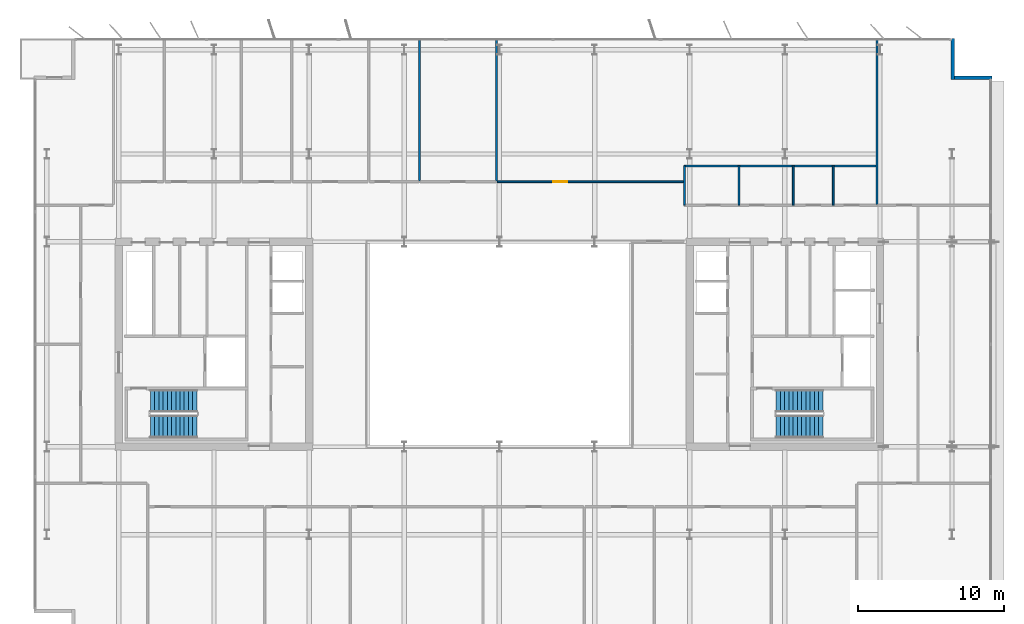
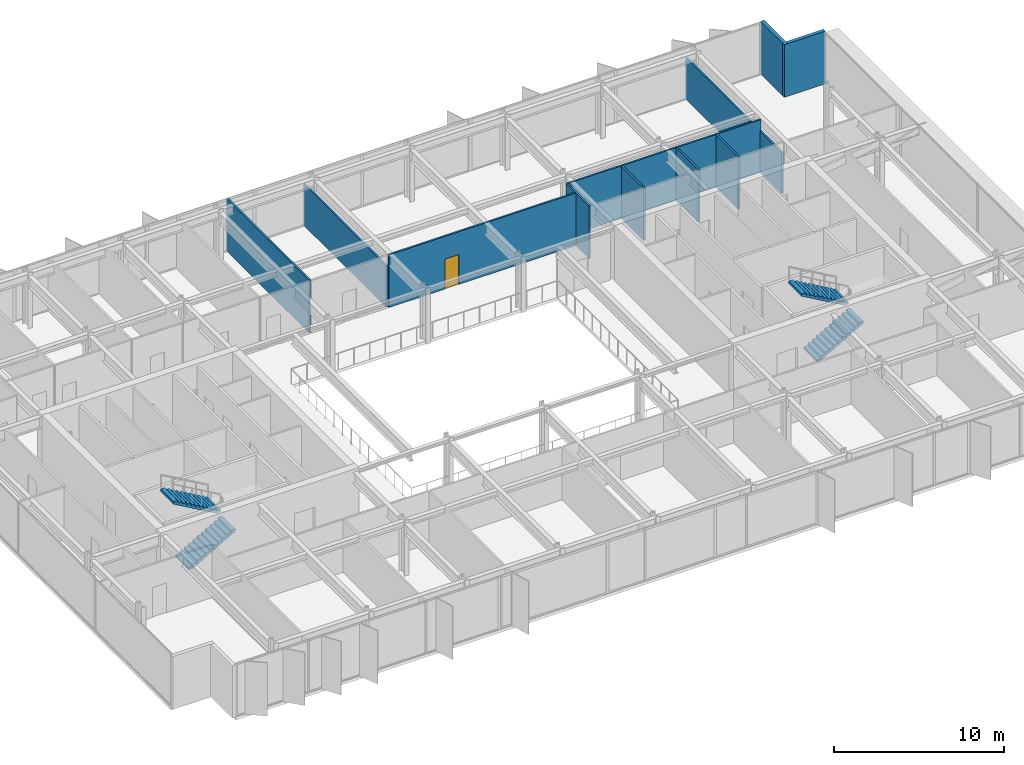
# One storey, part 16 of 20: 11 walls, 4 stair flights, 1 door, 1 opening, 2 elements without a shape of their own.
"""IFC4 building model written with IfcOpenShell, lengths in metres."""

from ifc_helpers import new_model, si_unit, direction, frame, frame_2d, origin, place, context, subcontext, project, spatial, polyline, rectangle, outline, extrude, material, layer, layer_set, type_object, element, fill, aggregate, save


model = new_model("IFC4")

# Units and contexts
model_context = context("Model", 3, precision=1e-05, world=origin(), true_north=direction((0.0, 1.0)))
body_context = subcontext(model_context, "Body", "Model", "MODEL_VIEW")
ifc_project = project(units=[si_unit("LENGTHUNIT", "METRE"), si_unit("AREAUNIT", "SQUARE_METRE"), si_unit("VOLUMEUNIT", "CUBIC_METRE"), si_unit("PLANEANGLEUNIT", "RADIAN"), si_unit("MASSUNIT", "GRAM", prefix="KILO")], contexts=[model_context])

# Site, building, storey
site_placement = place(None, origin())
site = spatial("IfcSite", under=ifc_project, at=site_placement, CompositionType="ELEMENT")
building_placement = place(site_placement, origin())
building = spatial("IfcBuilding", under=site, at=building_placement, Name="Putna Gate Headquarters", CompositionType="ELEMENT")
storey_placement = place(building_placement, frame((0.0, 0.0, 282.39990234375)))
storey = spatial("IfcBuildingStorey", under=building, at=storey_placement, Name="L71", CompositionType="ELEMENT", Elevation=282.39990234375)

# Walls
ifc_material_1 = material(Name="Precast concrete C40/50", Category="concrete")
ifc_layer_1 = layer(ifc_material_1, 0.239990234375)
ifc_layer_set_1 = layer_set([ifc_layer_1], Name="Precast concrete C40/50")
wall_type_1 = type_object("IfcWallType", Name="WALL-EXT-TERR-240", PredefinedType="STANDARD", material=ifc_layer_set_1)
wall_1_placement = place(storey_placement, frame((69.968994140625, 46.89990234375, 0.0), z_axis=(0.0, 0.0, 1.0), x_axis=(0.0, -1.0, 0.0)))
element("IfcWall", 1, at=wall_1_placement, inside=storey, type_object=wall_type_1, Name="L71 Corner Notch Return Wall NE-V", PredefinedType="STANDARD", context=body_context, shape_type="SweptSolid", body=[
    extrude(rectangle(XDim=2.7998046875, YDim=0.239990234375, at=frame_2d((1.39990234375, 0.0))), origin(), (0.0, 0.0, 1.0), 3.7880859375),
])
wall_2_placement = place(storey_placement, frame((69.848876953125, 44.219970703125, 0.0), z_axis=(0.0, 0.0, 1.0), x_axis=(1.0, 0.0, 0.0)))
element("IfcWall", 2, at=wall_2_placement, inside=storey, type_object=wall_type_1, Name="L71 Corner Notch Return Wall NE-H", PredefinedType="STANDARD", context=body_context, shape_type="SweptSolid", body=[
    extrude(rectangle(XDim=2.800048828125, YDim=0.239990234375, at=frame_2d((1.39990234375, 0.0))), origin(), (0.0, 0.0, 1.0), 3.7880859375),
])
ifc_material_2 = material(Name="Acoustic gypsum board on metal stud")
ifc_layer_2 = layer(ifc_material_2, 0.1201171875)
ifc_layer_set_2 = layer_set([ifc_layer_2], Name="Acoustic gypsum board on metal stud")
wall_type_2 = type_object("IfcWallType", Name="WALL-PART-120", PredefinedType="PARTITIONING", material=ifc_layer_set_2)
wall_3_placement = place(storey_placement, frame((33.5419921875, 37.159912109375, 0.0), z_axis=(0.0, 0.0, 1.0), x_axis=(0.0, 1.0, 0.0)))
element("IfcWall", 3, at=wall_3_placement, inside=storey, type_object=wall_type_2, Name="L71 Interior Wall PART-L71-NB-DIV-06", PredefinedType="PARTITIONING", context=body_context, shape_type="SweptSolid", body=[
    extrude(rectangle(XDim=9.719970703125, YDim=0.1201171875, at=frame_2d((4.85986328125, 0.0))), origin(), (0.0, 0.0, 1.0), 3.7880859375),
])
wall_4_placement = place(storey_placement, frame((38.800048828125, 37.159912109375, 0.0), z_axis=(0.0, 0.0, 1.0), x_axis=(0.0, 1.0, 0.0)))
element("IfcWall", 4, at=wall_4_placement, inside=storey, type_object=wall_type_2, Name="L71 Interior Wall PART-L71-NB-DIV-07", PredefinedType="PARTITIONING", context=body_context, shape_type="SweptSolid", body=[
    extrude(rectangle(XDim=9.719970703125, YDim=0.1201171875, at=frame_2d((4.85986328125, 0.0))), origin(), (0.0, 0.0, 1.0), 2.988037109375),
])
wall_5_placement = place(storey_placement, frame((64.800048828125, 35.56005859375, 0.0), z_axis=(0.0, 0.0, 1.0), x_axis=(0.0, 1.0, 0.0)))
element("IfcWall", 5, at=wall_5_placement, inside=storey, type_object=wall_type_2, Name="L71 Interior Wall PART-L71-NB-DIV-08", PredefinedType="PARTITIONING", context=body_context, shape_type="SweptSolid", body=[
    extrude(rectangle(XDim=11.31982421875, YDim=0.1201171875, at=frame_2d((5.659912109375, 0.0))), origin(), (0.0, 0.0, 1.0), 2.988037109375),
])
ifc_material_3 = material(Name="Fire-rated gypsum board on metal stud")
ifc_layer_3 = layer(ifc_material_3, 0.1201171875)
ifc_layer_set_3 = layer_set([ifc_layer_3], Name="Fire-rated gypsum board on metal stud")
wall_type_3 = type_object("IfcWallType", Name="WALL-PART-120-RATED", PredefinedType="PARTITIONING", material=ifc_layer_set_3)
wall_6_placement = place(storey_placement, frame((51.639892578125, 38.179931640625, 0.0), z_axis=(0.0, 0.0, 1.0), x_axis=(1.0, 0.0, 0.0)))
element("IfcWall", 6, at=wall_6_placement, inside=storey, type_object=wall_type_3, Name="L71 Interior Wall PART-L71-SAN-BACK", PredefinedType="PARTITIONING", context=body_context, shape_type="SweptSolid", body=[
    extrude(rectangle(XDim=13.16015625, YDim=0.1201171875, at=frame_2d((6.580078125, 0.0))), origin(), (0.0, 0.0, 1.0), 3.7880859375),
])
for number, where, z_axis, x_axis, name in (
    (7, (51.639892578125, 35.5, 0.0), (0.0, 0.0, 1.0), (0.0, 1.0, 0.0), "L71 Interior Wall PART-L71-SAN-DIV-1"),
    (8, (55.360107421875, 35.5, 0.0), (0.0, 0.0, 1.0), (0.0, 1.0, 0.0), "L71 Interior Wall PART-L71-SAN-DIV-2"),
    (9, (59.080078125, 35.5, 0.0), (0.0, 0.0, 1.0), (0.0, 1.0, 0.0), "L71 Interior Wall PART-L71-SAN-DIV-3"),
    (10, (61.800048828125, 35.5, 0.0), (0.0, 0.0, 1.0), (0.0, 1.0, 0.0), "L71 Interior Wall PART-L71-SAN-DIV-4"),
):
    element("IfcWall", number, at=place(storey_placement, frame(where, z_axis=z_axis, x_axis=x_axis)), inside=storey, type_object=wall_type_3, Name=name, PredefinedType="PARTITIONING", context=body_context, shape_type="SweptSolid", body=[
        extrude(rectangle(XDim=2.679931640625, YDim=0.1201171875, at=frame_2d((1.33984375, 0.0))), origin(), (0.0, 0.0, 1.0), 3.7880859375),
    ])

# Wall, opening, door
wall_7_placement = place(storey_placement, frame((38.860107421875, 37.10009765625, 0.0), z_axis=(0.0, 0.0, 1.0), x_axis=(1.0, 0.0, 0.0)))
wall_7 = element("IfcWall", 11, at=wall_7_placement, inside=storey, type_object=wall_type_3, Name="L71 Interior Wall PART-L71-NB-CW-08", PredefinedType="PARTITIONING", context=body_context, shape_type="SweptSolid", body=[
    extrude(rectangle(XDim=12.719970703125, YDim=0.1201171875, at=frame_2d((6.35986328125, 0.0))), origin(), (0.0, 0.0, 1.0), 3.7880859375),
])
opening_placement = place(wall_7_placement, frame((3.81591796875, 0.0, 0.0)))
opening = element("IfcOpeningElement", 12, at=opening_placement, cuts=wall_7, Name="Opening FD-95", PredefinedType="OPENING", context=body_context, shape_type="SweptSolid", body=[
    extrude(rectangle(XDim=0.949951171875, YDim=2.14990234375, at=frame_2d((0.47509765625, 1.074951171875))), frame((0.0, 0.070068359375, 0.0), z_axis=(0.0, -1.0, 0.0), x_axis=(1.0, 0.0, 0.0)), (0.0, 0.0, 1.0), 0.14013671875),
])
ifc_material_4 = material(Name="Acoustic timber fire door", Category="wood")
door_type = type_object("IfcDoorType", Name="DOOR-FIRE-950", OperationType="NOTDEFINED", PredefinedType="DOOR", material=ifc_material_4)
door_placement = place(opening_placement, origin())
door = element("IfcDoor", 13, at=door_placement, inside=storey, type_object=door_type, Name="L71 Primary Open Office Workplace Door", OperationType="SINGLE_SWING_LEFT", OverallHeight=2.14990234375, OverallWidth=0.949951171875, PredefinedType="DOOR", context=body_context, shape_type="SweptSolid", body=[
    extrude(rectangle(XDim=0.949951171875, YDim=2.14990234375, at=frame_2d((0.47509765625, 1.074951171875))), frame((0.0, 0.02490234375, 0.0), z_axis=(0.0, -1.0, 0.0), x_axis=(1.0, 0.0, 0.0)), (0.0, 0.0, 1.0), 0.050048828125),
])
fill(opening, door)

# Stair, stair flights
ifc_material_5 = material(Name="Concrete C40/50", Category="concrete")
stair_type_1 = type_object("IfcStairType", Name="STAIR-ST1", PredefinedType="HALF_TURN_STAIR", material=ifc_material_5)
stair_1_placement = place(storey_placement, origin())
stair_1 = element("IfcStair", 14, at=stair_1_placement, inside=storey, type_object=stair_type_1, Name="L71 West Core Exit Stair ST1", PredefinedType="HALF_TURN_STAIR")
stair_flight_type_1 = type_object("IfcStairFlightType", Name="FLIGHT-ST1", PredefinedType="STRAIGHT", material=ifc_material_5)
stair_flight_1_placement = place(storey_placement, frame((15.14990234375, 20.375, 0.0), z_axis=(0.0, 0.0, 1.0), x_axis=(1.0, 0.0, 0.0)))
stair_flight_1 = element("IfcStairFlight", 15, at=stair_flight_1_placement, type_object=stair_flight_type_1, Name="ST1 flight 1", NumberOfRisers=12, NumberOfTreads=11, PredefinedType="STRAIGHT", RiserHeight=0.166666667, TreadLength=0.29, context=body_context, shape_type="SweptSolid", body=[
    extrude(outline(polyline([(0.0, 0.0), (0.0, 0.166748046875), (0.2900390625, 0.166748046875), (0.2900390625, 0.333251953125), (0.580078125, 0.333251953125), (0.580078125, 0.5), (0.8701171875, 0.5), (0.8701171875, 0.666748046875), (1.159912109375, 0.666748046875), (1.159912109375, 0.833251953125), (1.449951171875, 0.833251953125), (1.449951171875, 1.0), (1.739990234375, 1.0), (1.739990234375, 1.166748046875), (2.030029296875, 1.166748046875), (2.030029296875, 1.333251953125), (2.320068359375, 1.333251953125), (2.320068359375, 1.5), (2.610107421875, 1.5), (2.610107421875, 1.666748046875), (2.89990234375, 1.666748046875), (2.89990234375, 1.833251953125), (3.18994140625, 1.833251953125), (3.18994140625, 2.0), (3.18994140625, 1.660400390625), (0.30078125, 0.0), (0.0, 0.0)])), frame((0.0, 0.77490234375, 0.0), z_axis=(0.0, -1.0, 0.0), x_axis=(1.0, 0.0, 0.0)), (0.0, 0.0, 1.0), 1.550048828125),
])
stair_flight_2_placement = place(storey_placement, frame((18.340087890625, 22.125, 2.0), z_axis=(0.0, 0.0, 1.0), x_axis=(-1.0, 0.0, 0.0)))
stair_flight_2 = element("IfcStairFlight", 16, at=stair_flight_2_placement, type_object=stair_flight_type_1, Name="ST1 flight 2", NumberOfRisers=12, NumberOfTreads=11, PredefinedType="STRAIGHT", RiserHeight=0.166666667, TreadLength=0.29, context=body_context, shape_type="SweptSolid", body=[
    extrude(outline(polyline([(0.0, 0.0), (0.0, 0.166748046875), (0.2900390625, 0.166748046875), (0.2900390625, 0.333251953125), (0.580078125, 0.333251953125), (0.580078125, 0.5), (0.8701171875, 0.5), (0.8701171875, 0.666748046875), (1.159912109375, 0.666748046875), (1.159912109375, 0.833251953125), (1.449951171875, 0.833251953125), (1.449951171875, 1.0), (1.739990234375, 1.0), (1.739990234375, 1.166748046875), (2.030029296875, 1.166748046875), (2.030029296875, 1.333251953125), (2.320068359375, 1.333251953125), (2.320068359375, 1.5), (2.610107421875, 1.5), (2.610107421875, 1.666748046875), (2.89990234375, 1.666748046875), (2.89990234375, 1.833251953125), (3.18994140625, 1.833251953125), (3.18994140625, 2.0), (3.18994140625, 1.660400390625), (0.30078125, 0.0), (0.0, 0.0)])), frame((0.0, 0.77490234375, 0.0), z_axis=(0.0, -1.0, 0.0), x_axis=(1.0, 0.0, 0.0)), (0.0, 0.0, 1.0), 1.550048828125),
])
aggregate(stair_1, [stair_flight_1, stair_flight_2])

stair_type_2 = type_object("IfcStairType", Name="STAIR-ST2", PredefinedType="HALF_TURN_STAIR", material=ifc_material_5)
stair_2_placement = place(storey_placement, origin())
stair_2 = element("IfcStair", 17, at=stair_2_placement, inside=storey, type_object=stair_type_2, Name="L71 East Core Exit Stair ST2", PredefinedType="HALF_TURN_STAIR")
stair_flight_type_2 = type_object("IfcStairFlightType", Name="FLIGHT-ST2", PredefinedType="STRAIGHT", material=ifc_material_5)
stair_flight_3_placement = place(storey_placement, frame((57.89990234375, 20.375, 0.0), z_axis=(0.0, 0.0, 1.0), x_axis=(1.0, 0.0, 0.0)))
stair_flight_3 = element("IfcStairFlight", 18, at=stair_flight_3_placement, type_object=stair_flight_type_2, Name="ST2 flight 1", NumberOfRisers=12, NumberOfTreads=11, PredefinedType="STRAIGHT", RiserHeight=0.166666667, TreadLength=0.29, context=body_context, shape_type="SweptSolid", body=[
    extrude(outline(polyline([(0.0, 0.0), (0.0, 0.166748046875), (0.2900390625, 0.166748046875), (0.2900390625, 0.333251953125), (0.580078125, 0.333251953125), (0.580078125, 0.5), (0.8701171875, 0.5), (0.8701171875, 0.666748046875), (1.159912109375, 0.666748046875), (1.159912109375, 0.833251953125), (1.449951171875, 0.833251953125), (1.449951171875, 1.0), (1.739990234375, 1.0), (1.739990234375, 1.166748046875), (2.030029296875, 1.166748046875), (2.030029296875, 1.333251953125), (2.320068359375, 1.333251953125), (2.320068359375, 1.5), (2.610107421875, 1.5), (2.610107421875, 1.666748046875), (2.89990234375, 1.666748046875), (2.89990234375, 1.833251953125), (3.18994140625, 1.833251953125), (3.18994140625, 2.0), (3.18994140625, 1.660400390625), (0.30078125, 0.0), (0.0, 0.0)])), frame((0.0, 0.77490234375, 0.0), z_axis=(0.0, -1.0, 0.0), x_axis=(1.0, 0.0, 0.0)), (0.0, 0.0, 1.0), 1.550048828125),
])
stair_flight_4_placement = place(storey_placement, frame((61.090087890625, 22.125, 2.0), z_axis=(0.0, 0.0, 1.0), x_axis=(-1.0, 0.0, 0.0)))
stair_flight_4 = element("IfcStairFlight", 19, at=stair_flight_4_placement, type_object=stair_flight_type_2, Name="ST2 flight 2", NumberOfRisers=12, NumberOfTreads=11, PredefinedType="STRAIGHT", RiserHeight=0.166666667, TreadLength=0.29, context=body_context, shape_type="SweptSolid", body=[
    extrude(outline(polyline([(0.0, 0.0), (0.0, 0.166748046875), (0.2900390625, 0.166748046875), (0.2900390625, 0.333251953125), (0.580078125, 0.333251953125), (0.580078125, 0.5), (0.8701171875, 0.5), (0.8701171875, 0.666748046875), (1.159912109375, 0.666748046875), (1.159912109375, 0.833251953125), (1.449951171875, 0.833251953125), (1.449951171875, 1.0), (1.739990234375, 1.0), (1.739990234375, 1.166748046875), (2.030029296875, 1.166748046875), (2.030029296875, 1.333251953125), (2.320068359375, 1.333251953125), (2.320068359375, 1.5), (2.610107421875, 1.5), (2.610107421875, 1.666748046875), (2.89990234375, 1.666748046875), (2.89990234375, 1.833251953125), (3.18994140625, 1.833251953125), (3.18994140625, 2.0), (3.18994140625, 1.660400390625), (0.30078125, 0.0), (0.0, 0.0)])), frame((0.0, 0.77490234375, 0.0), z_axis=(0.0, -1.0, 0.0), x_axis=(1.0, 0.0, 0.0)), (0.0, 0.0, 1.0), 1.550048828125),
])
aggregate(stair_2, [stair_flight_3, stair_flight_4])

save(model, "model.ifc")
